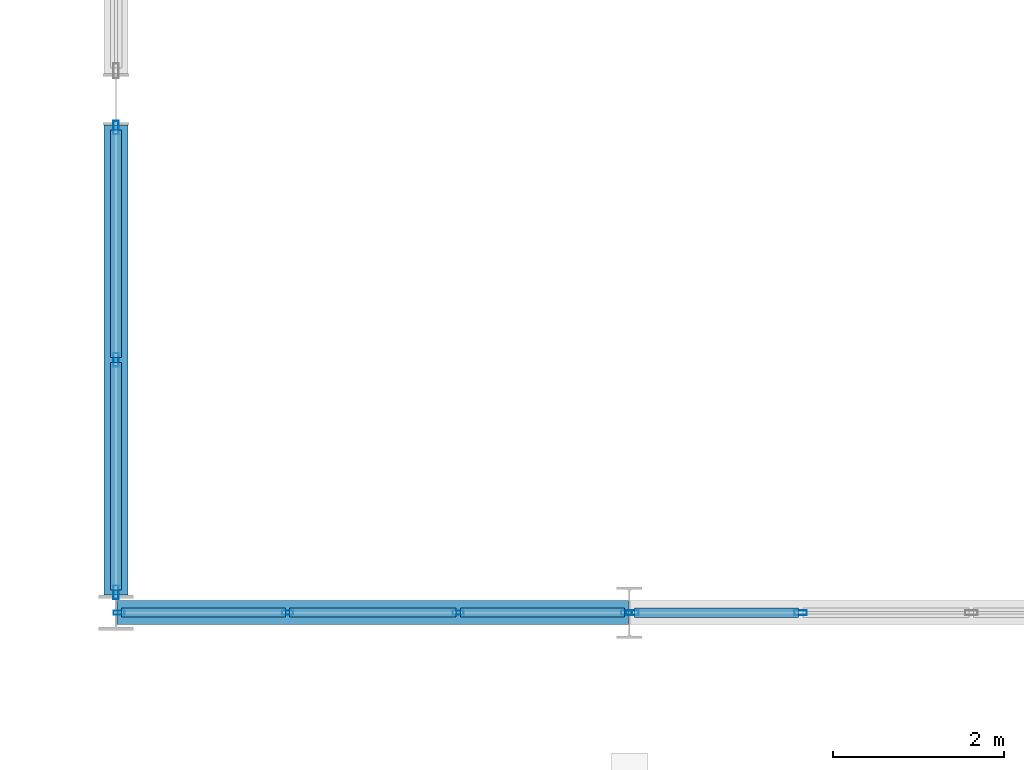
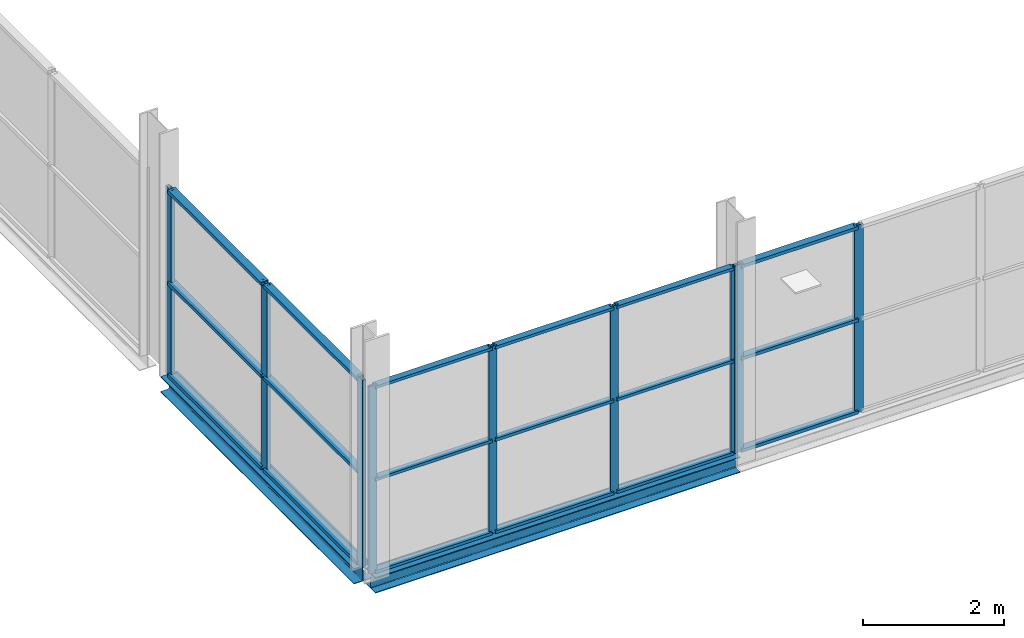
# One storey, part 22 of 135: 27 members, 2 beams, 3 elements without a shape of their own.
"""IFC4 building model written with IfcOpenShell, lengths in metres."""

from ifc_helpers import new_model, si_unit, direction, frame, origin, origin_2d, place, context, subcontext, project, spatial, hollow_rectangle, i_section, extrude, material, layer, layer_set, material_profile, profile_set, type_object, element, aggregate, save


model = new_model("IFC4")

# Units and contexts
model_context = context("Model", 3, precision=1e-05, world=origin(), true_north=direction((0.0, 1.0)))
body_context = subcontext(model_context, "Body", "Model", "MODEL_VIEW")
ifc_project = project(units=[si_unit("LENGTHUNIT", "METRE"), si_unit("AREAUNIT", "SQUARE_METRE"), si_unit("VOLUMEUNIT", "CUBIC_METRE"), si_unit("PLANEANGLEUNIT", "RADIAN"), si_unit("MASSUNIT", "GRAM", prefix="KILO")], contexts=[model_context])

# Site, building, storey
site_placement = place(None, origin())
site = spatial("IfcSite", under=ifc_project, at=site_placement, CompositionType="ELEMENT")
building_placement = place(site_placement, origin())
building = spatial("IfcBuilding", under=site, at=building_placement, Name="Deido Ridge Mobility Hub", CompositionType="ELEMENT")
storey_placement = place(building_placement, frame((0.0, 0.0, 4.199951171875)))
storey = spatial("IfcBuildingStorey", under=building, at=storey_placement, Name="L01", CompositionType="ELEMENT", Elevation=4.199951171875)

# Curtain wall, members
ifc_material_1 = material(Name="Anodised aluminium EN AW-6063 T6", Category="aluminium")
ifc_layer_1 = layer(ifc_material_1, 0.1650390625, Name="Anodised aluminium EN AW-6063 T6")
ifc_layer_set_1 = layer_set([ifc_layer_1], Name="Anodised aluminium EN AW-6063 T6")
curtain_wall_type_1 = type_object("IfcCurtainWallType", Name="CW-UF-1", PredefinedType="USERDEFINED", material=ifc_layer_set_1)
curtain_wall_1_placement = place(storey_placement, origin())
curtain_wall_1 = element("IfcCurtainWall", 1, at=curtain_wall_1_placement, inside=storey, type_object=curtain_wall_type_1, Name="Unitised curtain wall CW1", ObjectType="UNITISED FACADE", PredefinedType="USERDEFINED")
ifc_material_profile_1 = material_profile(ifc_material_1, hollow_rectangle(XDim=0.050048828125, YDim=0.1298828125, WallThickness=0.00390625, at=origin_2d()), Name="RHS 50x130x4")
ifc_profile_set_1 = profile_set([ifc_material_profile_1], Name="Anodised aluminium EN AW-6063 T6")
member_type_1 = type_object("IfcMemberType", Name="MEM-MUL-50X130", PredefinedType="MULLION", material=ifc_profile_set_1)
member_1_placement = place(storey_placement, frame((0.037109375, 0.0, 0.0), z_axis=(0.0, 0.0, 1.0), x_axis=(0.0, 1.0, 0.0)))
member_1 = element("IfcMember", 2, at=member_1_placement, type_object=member_type_1, Name="CW1 mullion 1", PredefinedType="MULLION", context=body_context, shape_type="SweptSolid", body=[
    extrude(hollow_rectangle(XDim=0.050048828125, YDim=0.1298828125, WallThickness=0.00390625, at=origin_2d()), origin(), (0.0, 0.0, 1.0), 3.25),
])
member_2_placement = place(storey_placement, frame((2.00537109375, 0.0, 0.0), z_axis=(0.0, 0.0, 1.0), x_axis=(0.0, 1.0, 0.0)))
member_2 = element("IfcMember", 3, at=member_2_placement, type_object=member_type_1, Name="CW1 mullion 2", PredefinedType="MULLION", context=body_context, shape_type="SweptSolid", body=[
    extrude(hollow_rectangle(XDim=0.050048828125, YDim=0.1298828125, WallThickness=0.00390625, at=origin_2d()), origin(), (0.0, 0.0, 1.0), 3.25),
])
member_3_placement = place(storey_placement, frame((3.998779296875, 0.0, 0.0), z_axis=(0.0, 0.0, 1.0), x_axis=(0.0, 1.0, 0.0)))
member_3 = element("IfcMember", 4, at=member_3_placement, type_object=member_type_1, Name="CW1 mullion 3", PredefinedType="MULLION", context=body_context, shape_type="SweptSolid", body=[
    extrude(hollow_rectangle(XDim=0.050048828125, YDim=0.1298828125, WallThickness=0.00390625, at=origin_2d()), origin(), (0.0, 0.0, 1.0), 3.25),
])
member_4_placement = place(storey_placement, frame((5.96728515625, 0.0, 0.0), z_axis=(0.0, 0.0, 1.0), x_axis=(0.0, 1.0, 0.0)))
member_4 = element("IfcMember", 5, at=member_4_placement, type_object=member_type_1, Name="CW1 mullion 4", PredefinedType="MULLION", context=body_context, shape_type="SweptSolid", body=[
    extrude(hollow_rectangle(XDim=0.050048828125, YDim=0.1298828125, WallThickness=0.00390625, at=origin_2d()), origin(), (0.0, 0.0, 1.0), 3.25),
])

ifc_layer_2 = layer(ifc_material_1, 0.179931640625, Name="Anodised aluminium EN AW-6063 T6")
ifc_layer_set_2 = layer_set([ifc_layer_2], Name="Anodised aluminium EN AW-6063 T6")
curtain_wall_type_2 = type_object("IfcCurtainWallType", Name="CW-UF-2", PredefinedType="USERDEFINED", material=ifc_layer_set_2)
curtain_wall_2_placement = place(storey_placement, origin())
curtain_wall_2 = element("IfcCurtainWall", 6, at=curtain_wall_2_placement, inside=storey, type_object=curtain_wall_type_2, Name="Unitised curtain wall CW2", ObjectType="UNITISED FACADE", PredefinedType="USERDEFINED")
ifc_material_profile_2 = material_profile(ifc_material_1, hollow_rectangle(XDim=0.054931640625, YDim=0.14501953125, WallThickness=0.00390625, at=origin_2d()), Name="RHS 55x145x4")
ifc_profile_set_2 = profile_set([ifc_material_profile_2], Name="Anodised aluminium EN AW-6063 T6")
member_type_2 = type_object("IfcMemberType", Name="MEM-MUL-55X145", PredefinedType="MULLION", material=ifc_profile_set_2)
member_5_placement = place(storey_placement, frame((6.03515625, 0.0, 0.0), z_axis=(0.0, 0.0, 1.0), x_axis=(0.0, 1.0, 0.0)))
member_5 = element("IfcMember", 7, at=member_5_placement, type_object=member_type_2, Name="CW2 mullion 1", PredefinedType="MULLION", context=body_context, shape_type="SweptSolid", body=[
    extrude(hollow_rectangle(XDim=0.054931640625, YDim=0.14501953125, WallThickness=0.00390625, at=origin_2d()), origin(), (0.0, 0.0, 1.0), 3.25),
])
member_6_placement = place(storey_placement, frame((8.002685546875, 0.0, 0.0), z_axis=(0.0, 0.0, 1.0), x_axis=(0.0, 1.0, 0.0)))
member_6 = element("IfcMember", 8, at=member_6_placement, type_object=member_type_2, Name="CW2 mullion 2", PredefinedType="MULLION", context=body_context, shape_type="SweptSolid", body=[
    extrude(hollow_rectangle(XDim=0.054931640625, YDim=0.14501953125, WallThickness=0.00390625, at=origin_2d()), origin(), (0.0, 0.0, 1.0), 3.25),
])

ifc_layer_3 = layer(ifc_material_1, 0.2099609375, Name="Anodised aluminium EN AW-6063 T6")
ifc_layer_set_3 = layer_set([ifc_layer_3], Name="Anodised aluminium EN AW-6063 T6")
curtain_wall_type_3 = type_object("IfcCurtainWallType", Name="CW-UF-4", PredefinedType="USERDEFINED", material=ifc_layer_set_3)
curtain_wall_3_placement = place(storey_placement, origin())
curtain_wall_3 = element("IfcCurtainWall", 9, at=curtain_wall_3_placement, inside=storey, type_object=curtain_wall_type_3, Name="Unitised curtain wall CW4", ObjectType="UNITISED FACADE", PredefinedType="USERDEFINED")
ifc_material_profile_3 = material_profile(ifc_material_1, hollow_rectangle(XDim=0.06005859375, YDim=0.159912109375, WallThickness=0.00390625, at=origin_2d()), Name="RHS 60x160x4")
ifc_profile_set_3 = profile_set([ifc_material_profile_3], Name="Anodised aluminium EN AW-6063 T6")
member_type_3 = type_object("IfcMemberType", Name="MEM-MUL-60X160", PredefinedType="MULLION", material=ifc_profile_set_3)
member_7_placement = place(storey_placement, frame((0.0, 0.238037109375, 0.0), z_axis=(0.0, 0.0, 1.0), x_axis=(-1.0, 0.0, 0.0)))
member_7 = element("IfcMember", 10, at=member_7_placement, type_object=member_type_3, Name="CW4 mullion 1", PredefinedType="MULLION", context=body_context, shape_type="SweptSolid", body=[
    extrude(hollow_rectangle(XDim=0.06005859375, YDim=0.159912109375, WallThickness=0.00390625, at=origin_2d()), origin(), (0.0, 0.0, 1.0), 3.25),
])
member_8_placement = place(storey_placement, frame((0.0, 2.9541015625, 0.0), z_axis=(0.0, 0.0, 1.0), x_axis=(-1.0, 0.0, 0.0)))
member_8 = element("IfcMember", 11, at=member_8_placement, type_object=member_type_3, Name="CW4 mullion 2", PredefinedType="MULLION", context=body_context, shape_type="SweptSolid", body=[
    extrude(hollow_rectangle(XDim=0.06005859375, YDim=0.159912109375, WallThickness=0.00390625, at=origin_2d()), origin(), (0.0, 0.0, 1.0), 3.25),
])
member_9_placement = place(storey_placement, frame((0.0, 5.669921875, 0.0), z_axis=(0.0, 0.0, 1.0), x_axis=(-1.0, 0.0, 0.0)))
member_9 = element("IfcMember", 12, at=member_9_placement, type_object=member_type_3, Name="CW4 mullion 3", PredefinedType="MULLION", context=body_context, shape_type="SweptSolid", body=[
    extrude(hollow_rectangle(XDim=0.06005859375, YDim=0.159912109375, WallThickness=0.00390625, at=origin_2d()), origin(), (0.0, 0.0, 1.0), 3.25),
])

# Member
ifc_material_profile_4 = material_profile(ifc_material_1, hollow_rectangle(XDim=0.10498046875, YDim=0.050048828125, WallThickness=0.00390625, at=origin_2d()), Name="RHS 105x50x4")
ifc_profile_set_4 = profile_set([ifc_material_profile_4], Name="Anodised aluminium EN AW-6063 T6")
member_type_4 = type_object("IfcMemberType", Name="MEM-TRN-105X50", PredefinedType="USERDEFINED", material=ifc_profile_set_4)
member_10_placement = place(storey_placement, frame((0.06201171875, 0.0, 0.025146484375), z_axis=(1.0, 0.0, 0.0), x_axis=(0.0, 1.0, 0.0)))
member_10 = element("IfcMember", 13, at=member_10_placement, type_object=member_type_4, Name="CW1 transom 1.1", ObjectType="TRANSOM", PredefinedType="USERDEFINED", context=body_context, shape_type="SweptSolid", body=[
    extrude(hollow_rectangle(XDim=0.10498046875, YDim=0.050048828125, WallThickness=0.00390625, at=origin_2d()), origin(), (0.0, 0.0, 1.0), 1.91845703125),
])

member_11_placement = place(storey_placement, frame((0.06201171875, 0.0, 1.625), z_axis=(1.0, 0.0, 0.0), x_axis=(0.0, 1.0, 0.0)))
member_11 = element("IfcMember", 14, at=member_11_placement, type_object=member_type_4, Name="CW1 transom 1.2", ObjectType="TRANSOM", PredefinedType="USERDEFINED", context=body_context, shape_type="SweptSolid", body=[
    extrude(hollow_rectangle(XDim=0.10498046875, YDim=0.050048828125, WallThickness=0.00390625, at=origin_2d()), origin(), (0.0, 0.0, 1.0), 1.91845703125),
])

member_12_placement = place(storey_placement, frame((0.06201171875, 0.0, 3.22509765625), z_axis=(1.0, 0.0, 0.0), x_axis=(0.0, 1.0, 0.0)))
member_12 = element("IfcMember", 15, at=member_12_placement, type_object=member_type_4, Name="CW1 transom 1.3", ObjectType="TRANSOM", PredefinedType="USERDEFINED", context=body_context, shape_type="SweptSolid", body=[
    extrude(hollow_rectangle(XDim=0.10498046875, YDim=0.050048828125, WallThickness=0.00390625, at=origin_2d()), origin(), (0.0, 0.0, 1.0), 1.91845703125),
])

member_13_placement = place(storey_placement, frame((2.030517578125, 0.0, 0.025146484375), z_axis=(1.0, 0.0, 0.0), x_axis=(0.0, 1.0, 0.0)))
member_13 = element("IfcMember", 16, at=member_13_placement, type_object=member_type_4, Name="CW1 transom 2.1", ObjectType="TRANSOM", PredefinedType="USERDEFINED", context=body_context, shape_type="SweptSolid", body=[
    extrude(hollow_rectangle(XDim=0.10498046875, YDim=0.050048828125, WallThickness=0.00390625, at=origin_2d()), origin(), (0.0, 0.0, 1.0), 1.943359375),
])

member_14_placement = place(storey_placement, frame((2.030517578125, 0.0, 1.625), z_axis=(1.0, 0.0, 0.0), x_axis=(0.0, 1.0, 0.0)))
member_14 = element("IfcMember", 17, at=member_14_placement, type_object=member_type_4, Name="CW1 transom 2.2", ObjectType="TRANSOM", PredefinedType="USERDEFINED", context=body_context, shape_type="SweptSolid", body=[
    extrude(hollow_rectangle(XDim=0.10498046875, YDim=0.050048828125, WallThickness=0.00390625, at=origin_2d()), origin(), (0.0, 0.0, 1.0), 1.943359375),
])

member_15_placement = place(storey_placement, frame((2.030517578125, 0.0, 3.22509765625), z_axis=(1.0, 0.0, 0.0), x_axis=(0.0, 1.0, 0.0)))
member_15 = element("IfcMember", 18, at=member_15_placement, type_object=member_type_4, Name="CW1 transom 2.3", ObjectType="TRANSOM", PredefinedType="USERDEFINED", context=body_context, shape_type="SweptSolid", body=[
    extrude(hollow_rectangle(XDim=0.10498046875, YDim=0.050048828125, WallThickness=0.00390625, at=origin_2d()), origin(), (0.0, 0.0, 1.0), 1.943359375),
])

member_16_placement = place(storey_placement, frame((4.02392578125, 0.0, 0.025146484375), z_axis=(1.0, 0.0, 0.0), x_axis=(0.0, 1.0, 0.0)))
member_16 = element("IfcMember", 19, at=member_16_placement, type_object=member_type_4, Name="CW1 transom 3.1", ObjectType="TRANSOM", PredefinedType="USERDEFINED", context=body_context, shape_type="SweptSolid", body=[
    extrude(hollow_rectangle(XDim=0.10498046875, YDim=0.050048828125, WallThickness=0.00390625, at=origin_2d()), origin(), (0.0, 0.0, 1.0), 1.91845703125),
])

member_17_placement = place(storey_placement, frame((4.02392578125, 0.0, 1.625), z_axis=(1.0, 0.0, 0.0), x_axis=(0.0, 1.0, 0.0)))
member_17 = element("IfcMember", 20, at=member_17_placement, type_object=member_type_4, Name="CW1 transom 3.2", ObjectType="TRANSOM", PredefinedType="USERDEFINED", context=body_context, shape_type="SweptSolid", body=[
    extrude(hollow_rectangle(XDim=0.10498046875, YDim=0.050048828125, WallThickness=0.00390625, at=origin_2d()), origin(), (0.0, 0.0, 1.0), 1.91845703125),
])

member_18_placement = place(storey_placement, frame((4.02392578125, 0.0, 3.22509765625), z_axis=(1.0, 0.0, 0.0), x_axis=(0.0, 1.0, 0.0)))
member_18 = element("IfcMember", 21, at=member_18_placement, type_object=member_type_4, Name="CW1 transom 3.3", ObjectType="TRANSOM", PredefinedType="USERDEFINED", context=body_context, shape_type="SweptSolid", body=[
    extrude(hollow_rectangle(XDim=0.10498046875, YDim=0.050048828125, WallThickness=0.00390625, at=origin_2d()), origin(), (0.0, 0.0, 1.0), 1.91845703125),
])

aggregate(curtain_wall_1, [member_1, member_2, member_3, member_4, member_10, member_11, member_12, member_13, member_14, member_15, member_16, member_17, member_18])

ifc_material_profile_5 = material_profile(ifc_material_1, hollow_rectangle(XDim=0.114990234375, YDim=0.054931640625, WallThickness=0.00390625, at=origin_2d()), Name="RHS 115x55x4")
ifc_profile_set_5 = profile_set([ifc_material_profile_5], Name="Anodised aluminium EN AW-6063 T6")
member_type_5 = type_object("IfcMemberType", Name="MEM-TRN-115X55", PredefinedType="USERDEFINED", material=ifc_profile_set_5)
member_19_placement = place(storey_placement, frame((6.062744140625, 0.0, 0.027587890625), z_axis=(1.0, 0.0, 0.0), x_axis=(0.0, 1.0, 0.0)))
member_19 = element("IfcMember", 22, at=member_19_placement, type_object=member_type_5, Name="CW2 transom 1.1", ObjectType="TRANSOM", PredefinedType="USERDEFINED", context=body_context, shape_type="SweptSolid", body=[
    extrude(hollow_rectangle(XDim=0.114990234375, YDim=0.054931640625, WallThickness=0.00390625, at=origin_2d()), origin(), (0.0, 0.0, 1.0), 1.912353515625),
])

member_20_placement = place(storey_placement, frame((6.062744140625, 0.0, 1.625), z_axis=(1.0, 0.0, 0.0), x_axis=(0.0, 1.0, 0.0)))
member_20 = element("IfcMember", 23, at=member_20_placement, type_object=member_type_5, Name="CW2 transom 1.2", ObjectType="TRANSOM", PredefinedType="USERDEFINED", context=body_context, shape_type="SweptSolid", body=[
    extrude(hollow_rectangle(XDim=0.114990234375, YDim=0.054931640625, WallThickness=0.00390625, at=origin_2d()), origin(), (0.0, 0.0, 1.0), 1.912353515625),
])

member_21_placement = place(storey_placement, frame((6.062744140625, 0.0, 3.22265625), z_axis=(1.0, 0.0, 0.0), x_axis=(0.0, 1.0, 0.0)))
member_21 = element("IfcMember", 24, at=member_21_placement, type_object=member_type_5, Name="CW2 transom 1.3", ObjectType="TRANSOM", PredefinedType="USERDEFINED", context=body_context, shape_type="SweptSolid", body=[
    extrude(hollow_rectangle(XDim=0.114990234375, YDim=0.054931640625, WallThickness=0.00390625, at=origin_2d()), origin(), (0.0, 0.0, 1.0), 1.912353515625),
])

aggregate(curtain_wall_2, [member_5, member_6, member_19, member_20, member_21])

ifc_material_profile_6 = material_profile(ifc_material_1, hollow_rectangle(XDim=0.125, YDim=0.06005859375, WallThickness=0.00390625, at=origin_2d()), Name="RHS 125x60x4")
ifc_profile_set_6 = profile_set([ifc_material_profile_6], Name="Anodised aluminium EN AW-6063 T6")
member_type_6 = type_object("IfcMemberType", Name="MEM-TRN-125X60", PredefinedType="USERDEFINED", material=ifc_profile_set_6)
member_22_placement = place(storey_placement, frame((0.0, 0.26806640625, 0.030029296875), z_axis=(0.0, 1.0, 0.0), x_axis=(-1.0, 0.0, 0.0)))
member_22 = element("IfcMember", 25, at=member_22_placement, type_object=member_type_6, Name="CW4 transom 1.1", ObjectType="TRANSOM", PredefinedType="USERDEFINED", context=body_context, shape_type="SweptSolid", body=[
    extrude(hollow_rectangle(XDim=0.125, YDim=0.06005859375, WallThickness=0.00390625, at=origin_2d()), origin(), (0.0, 0.0, 1.0), 2.656005859375),
])

member_23_placement = place(storey_placement, frame((0.0, 0.26806640625, 1.625), z_axis=(0.0, 1.0, 0.0), x_axis=(-1.0, 0.0, 0.0)))
member_23 = element("IfcMember", 26, at=member_23_placement, type_object=member_type_6, Name="CW4 transom 1.2", ObjectType="TRANSOM", PredefinedType="USERDEFINED", context=body_context, shape_type="SweptSolid", body=[
    extrude(hollow_rectangle(XDim=0.125, YDim=0.06005859375, WallThickness=0.00390625, at=origin_2d()), origin(), (0.0, 0.0, 1.0), 2.656005859375),
])

member_24_placement = place(storey_placement, frame((0.0, 0.26806640625, 3.219970703125), z_axis=(0.0, 1.0, 0.0), x_axis=(-1.0, 0.0, 0.0)))
member_24 = element("IfcMember", 27, at=member_24_placement, type_object=member_type_6, Name="CW4 transom 1.3", ObjectType="TRANSOM", PredefinedType="USERDEFINED", context=body_context, shape_type="SweptSolid", body=[
    extrude(hollow_rectangle(XDim=0.125, YDim=0.06005859375, WallThickness=0.00390625, at=origin_2d()), origin(), (0.0, 0.0, 1.0), 2.656005859375),
])

member_25_placement = place(storey_placement, frame((0.0, 2.98388671875, 0.030029296875), z_axis=(0.0, 1.0, 0.0), x_axis=(-1.0, 0.0, 0.0)))
member_25 = element("IfcMember", 28, at=member_25_placement, type_object=member_type_6, Name="CW4 transom 2.1", ObjectType="TRANSOM", PredefinedType="USERDEFINED", context=body_context, shape_type="SweptSolid", body=[
    extrude(hollow_rectangle(XDim=0.125, YDim=0.06005859375, WallThickness=0.00390625, at=origin_2d()), origin(), (0.0, 0.0, 1.0), 2.656005859375),
])

member_26_placement = place(storey_placement, frame((0.0, 2.98388671875, 1.625), z_axis=(0.0, 1.0, 0.0), x_axis=(-1.0, 0.0, 0.0)))
member_26 = element("IfcMember", 29, at=member_26_placement, type_object=member_type_6, Name="CW4 transom 2.2", ObjectType="TRANSOM", PredefinedType="USERDEFINED", context=body_context, shape_type="SweptSolid", body=[
    extrude(hollow_rectangle(XDim=0.125, YDim=0.06005859375, WallThickness=0.00390625, at=origin_2d()), origin(), (0.0, 0.0, 1.0), 2.656005859375),
])

member_27_placement = place(storey_placement, frame((0.0, 2.98388671875, 3.219970703125), z_axis=(0.0, 1.0, 0.0), x_axis=(-1.0, 0.0, 0.0)))
member_27 = element("IfcMember", 30, at=member_27_placement, type_object=member_type_6, Name="CW4 transom 2.3", ObjectType="TRANSOM", PredefinedType="USERDEFINED", context=body_context, shape_type="SweptSolid", body=[
    extrude(hollow_rectangle(XDim=0.125, YDim=0.06005859375, WallThickness=0.00390625, at=origin_2d()), origin(), (0.0, 0.0, 1.0), 2.656005859375),
])

aggregate(curtain_wall_3, [member_7, member_8, member_9, member_22, member_23, member_24, member_25, member_26, member_27])

# Beams
ifc_material_2 = material(Name="Steel S355J2 EN 10025-2", Category="steel")
ifc_material_profile_7 = material_profile(ifc_material_2, i_section(OverallWidth=0.280029296875, OverallDepth=0.27001953125, WebThickness=0.008056640625, FlangeThickness=0.012939453125, FilletRadius=0.02392578125, at=origin_2d()), Name="HEA 280")
ifc_profile_set_7 = profile_set([ifc_material_profile_7], Name="Steel S355J2 EN 10025-2")
beam_type = type_object("IfcBeamType", Name="SPD-HEA280", PredefinedType="SPANDREL", material=ifc_profile_set_7)
beam_1_placement = place(storey_placement, frame((0.011962890625, 0.0, -0.135009765625), z_axis=(1.0, 0.0, 0.0), x_axis=(0.0, 1.0, 0.0)))
element("IfcBeam", 31, at=beam_1_placement, inside=storey, type_object=beam_type, Name="Concourse perimeter wind girt SP2", PredefinedType="SPANDREL", context=body_context, shape_type="SweptSolid", body=[
    extrude(i_section(OverallWidth=0.280029296875, OverallDepth=0.27001953125, WebThickness=0.008056640625, FlangeThickness=0.012939453125, FilletRadius=0.02392578125, at=origin_2d()), origin(), (0.0, 0.0, 1.0), 5.980224609375),
])
beam_2_placement = place(storey_placement, frame((0.0, 0.2080078125, -0.135009765625), z_axis=(0.0, 1.0, 0.0), x_axis=(-1.0, 0.0, 0.0)))
element("IfcBeam", 32, at=beam_2_placement, inside=storey, type_object=beam_type, Name="Concourse perimeter wind girt SP2", PredefinedType="SPANDREL", context=body_context, shape_type="SweptSolid", body=[
    extrude(i_section(OverallWidth=0.280029296875, OverallDepth=0.27001953125, WebThickness=0.008056640625, FlangeThickness=0.012939453125, FilletRadius=0.02392578125, at=origin_2d()), origin(), (0.0, 0.0, 1.0), 5.491943359375),
])

save(model, "model.ifc")
